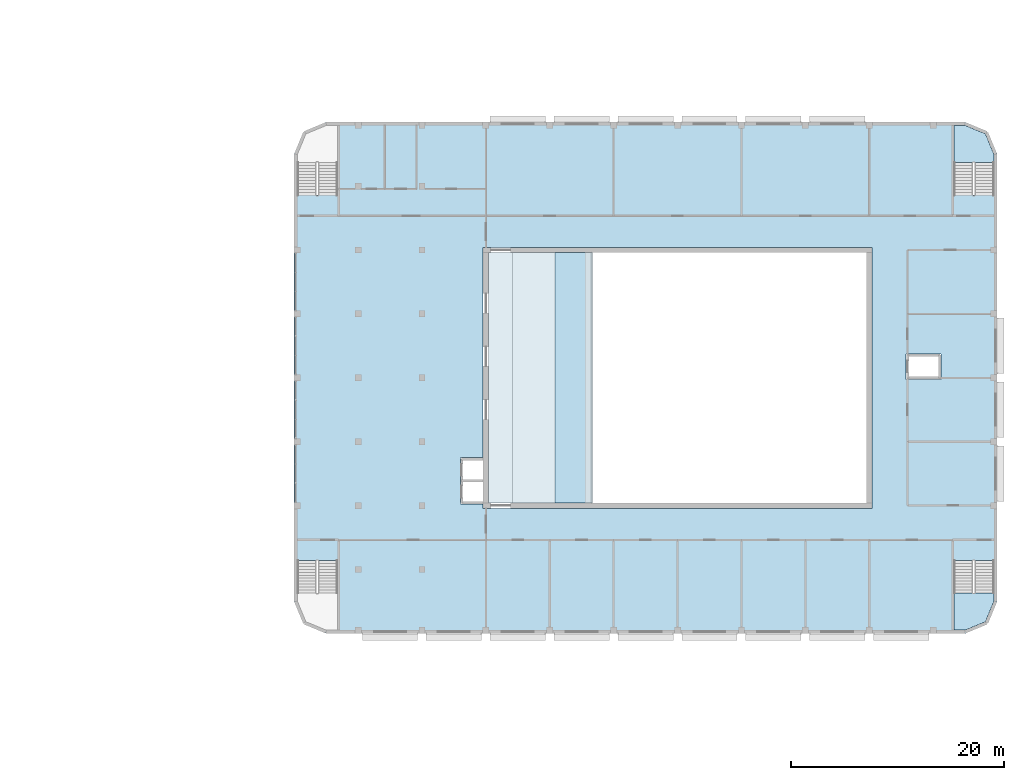
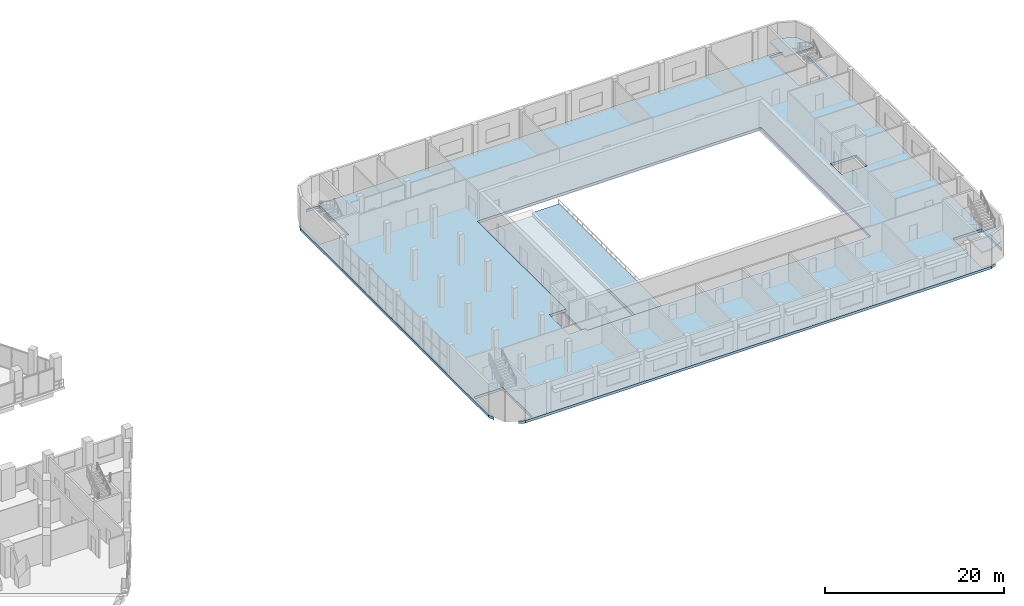
# One storey, part 12 of 45: 5 slabs, 2 elements without a shape of their own.
"""IFC4 building model written with IfcOpenShell, lengths in metres."""

from ifc_helpers import new_model, si_unit, direction, frame, origin, place, context, subcontext, project, spatial, polyline, outline, extrude, material, layer, layer_set, type_object, element, aggregate, save


model = new_model("IFC4")

# Units and contexts
model_context = context("Model", 3, precision=1e-05, world=origin(), true_north=direction((0.0, 1.0)))
body_context = subcontext(model_context, "Body", "Model", "MODEL_VIEW")
ifc_project = project(units=[si_unit("LENGTHUNIT", "METRE"), si_unit("AREAUNIT", "SQUARE_METRE"), si_unit("VOLUMEUNIT", "CUBIC_METRE"), si_unit("PLANEANGLEUNIT", "RADIAN"), si_unit("MASSUNIT", "GRAM", prefix="KILO")], contexts=[model_context])

# Site, building, storey
site_placement = place(None, origin())
site = spatial("IfcSite", under=ifc_project, at=site_placement, CompositionType="ELEMENT")
building_placement = place(site_placement, origin())
building = spatial("IfcBuilding", under=site, at=building_placement, Name="Nakaniwa Court", CompositionType="ELEMENT")
storey_placement = place(building_placement, frame((0.0, 0.0, 11.39990234375)))
storey = spatial("IfcBuildingStorey", under=building, at=storey_placement, Name="L02", CompositionType="ELEMENT", Elevation=11.39990234375)

# Slab
ifc_material = material(Name="Concrete C40/50", Category="concrete")
ifc_layer_1 = layer(ifc_material, 0.35009765625)
ifc_layer_set_1 = layer_set([ifc_layer_1], Name="Concrete C40/50")
slab_type_1 = type_object("IfcSlabType", Name="Hall floor slab 350", PredefinedType="FLOOR", material=ifc_layer_set_1)
slab_1_placement = place(storey_placement, frame((0.0, 0.0, -0.349853515625)))
element("IfcSlab", 1, at=slab_1_placement, inside=storey, type_object=slab_type_1, Name="Hall floor slab L02", PredefinedType="FLOOR", context=body_context, shape_type="SweptSolid", body=[
    extrude(outline(polyline([(152.300048828125, 62.844970703125), (156.050048828125, 62.844970703125), (156.050048828125, 56.300048828125), (154.27587890625, 56.300048828125), (155.0, 56.0), (215.0, 56.0), (215.72412109375, 56.300048828125), (213.949951171875, 56.300048828125), (213.949951171875, 62.844970703125), (217.699951171875, 62.844970703125), (217.699951171875, 58.27587890625), (218.0, 59.0), (218.0, 101.0), (217.699951171875, 101.72412109375), (217.699951171875, 97.155029296875), (213.949951171875, 97.155029296875), (213.949951171875, 103.699951171875), (215.72412109375, 103.699951171875), (215.0, 104.0), (155.0, 104.0), (154.27587890625, 103.699951171875), (156.050048828125, 103.699951171875), (156.050048828125, 97.155029296875), (152.300048828125, 97.155029296875), (152.300048828125, 101.72412109375), (152.0, 101.0), (152.0, 59.0), (152.300048828125, 58.27587890625), (152.300048828125, 62.844970703125)]), holes=[polyline([(169.75, 72.5), (169.75, 92.25), (206.25, 92.25), (206.25, 67.75), (169.75, 67.75), (169.75, 68.14990234375), (167.60009765625, 68.14990234375), (167.60009765625, 70.199951171875), (167.60009765625, 70.449951171875), (167.60009765625, 72.5), (169.75, 72.5)]), polyline([(212.75, 79.85009765625), (209.449951171875, 79.85009765625), (209.449951171875, 82.25), (212.75, 82.25), (212.75, 79.85009765625)])]), origin(), (0.0, 0.0, 1.0), 0.349853515625),
])

# Stair, slab
stair_type = type_object("IfcStairType", Name="Hall exit stair 24 risers", PredefinedType="HALF_TURN_STAIR", material=ifc_material)
stair_1_placement = place(storey_placement, origin())
stair_1 = element("IfcStair", 2, at=stair_1_placement, inside=storey, type_object=stair_type, Name="L02 Exit stair 3", PredefinedType="HALF_TURN_STAIR")
ifc_layer_2 = layer(ifc_material, 0.199951171875)
ifc_layer_set_2 = layer_set([ifc_layer_2], Name="Concrete C40/50")
slab_type_2 = type_object("IfcSlabType", Name="Hall stair landing 200", PredefinedType="LANDING", material=ifc_layer_set_2)
slab_2_placement = place(storey_placement, frame((0.0, 0.0, 1.900146484375)))
slab_2 = element("IfcSlab", 3, at=slab_2_placement, type_object=slab_type_2, Name="ST-H3 landing 1", PredefinedType="LANDING", context=body_context, shape_type="SweptSolid", body=[
    extrude(outline(polyline([(213.949951171875, 56.300048828125), (215.0, 56.300048828125), (216.9091796875, 57.0908203125), (217.699951171875, 59.0), (217.699951171875, 59.780029296875), (213.949951171875, 59.780029296875), (213.949951171875, 56.300048828125)])), origin(), (0.0, 0.0, 1.0), 0.199951171875),
])
aggregate(stair_1, [slab_2])

stair_2_placement = place(storey_placement, origin())
stair_2 = element("IfcStair", 4, at=stair_2_placement, inside=storey, type_object=stair_type, Name="L02 Exit stair 4", PredefinedType="HALF_TURN_STAIR")
slab_3_placement = place(storey_placement, frame((0.0, 0.0, 1.900146484375)))
slab_3 = element("IfcSlab", 5, at=slab_3_placement, type_object=slab_type_2, Name="ST-H4 landing 1", PredefinedType="LANDING", context=body_context, shape_type="SweptSolid", body=[
    extrude(outline(polyline([(217.699951171875, 101.0), (216.9091796875, 102.9091796875), (215.0, 103.699951171875), (213.949951171875, 103.699951171875), (213.949951171875, 100.219970703125), (217.699951171875, 100.219970703125), (217.699951171875, 101.0)])), origin(), (0.0, 0.0, 1.0), 0.199951171875),
])
aggregate(stair_2, [slab_3])

# Slabs
ifc_layer_3 = layer(ifc_material, 0.449951171875)
ifc_layer_set_3 = layer_set([ifc_layer_3], Name="Concrete C40/50")
slab_type_3 = type_object("IfcSlabType", Name="Terrace step slab 450", PredefinedType="FLOOR", material=ifc_layer_set_3)
slab_4_placement = place(storey_placement, frame((0.0, 0.0, -1.349853515625)))
element("IfcSlab", 6, at=slab_4_placement, inside=storey, type_object=slab_type_3, Name="Balcony tier L02 step R1", PredefinedType="FLOOR", context=body_context, shape_type="SweptSolid", body=[
    extrude(outline(polyline([(180.0, 68.25), (180.0, 91.75), (176.5, 91.75), (176.5, 68.25), (180.0, 68.25)])), origin(), (0.0, 0.0, 1.0), 0.449951171875),
])
ifc_layer_4 = layer(ifc_material, 0.35009765625)
ifc_layer_set_4 = layer_set([ifc_layer_4], Name="Concrete C40/50")
slab_type_4 = type_object("IfcSlabType", Name="Tier slab 350", PredefinedType="FLOOR", material=ifc_layer_set_4)
slab_5_placement = place(storey_placement, frame((0.0, 0.0, -1.699951171875)))
element("IfcSlab", 7, at=slab_5_placement, inside=storey, type_object=slab_type_4, Name="Balcony tier slab L02", PredefinedType="FLOOR", context=body_context, shape_type="SweptSolid", body=[
    extrude(outline(polyline([(180.0, 68.25), (180.0, 91.75), (170.25, 91.75), (170.25, 68.25), (180.0, 68.25)])), origin(), (0.0, 0.0, 1.0), 0.35009765625),
])

save(model, "model.ifc")
